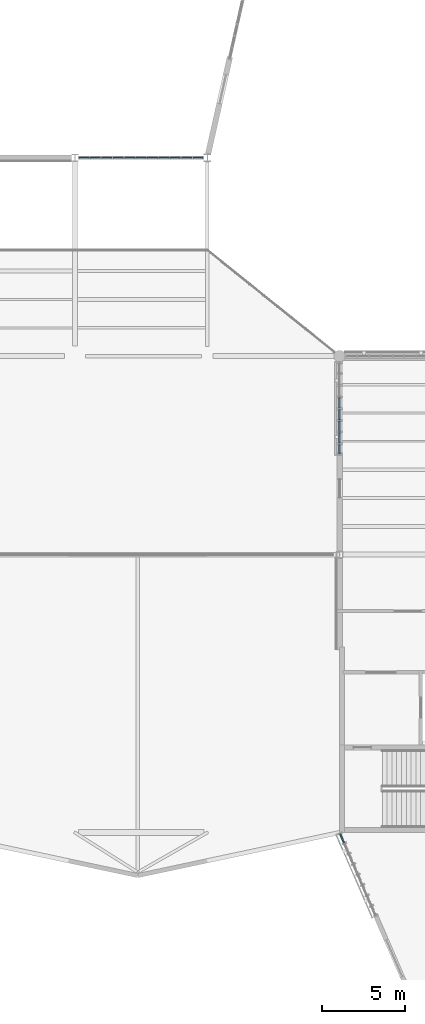
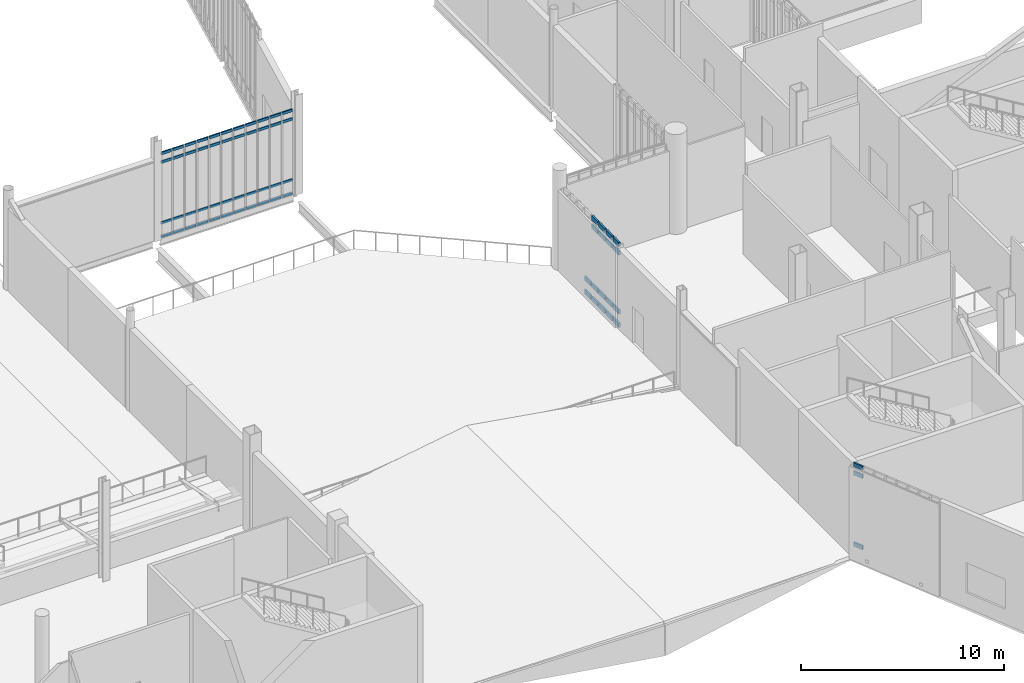
# One storey, part 50 of 135: 65 members, 3 elements without a shape of their own.
"""IFC4 building model written with IfcOpenShell, lengths in metres."""

import ifcopenshell
import ifcopenshell.guid

model = None  # the IFC model being written
_history = None  # IfcOwnerHistory: only IFC2X3 demands one
_inside = {}  # id of a spatial element -> (the spatial element, [elements in it])
_under = {}  # id of a project, library or spatial element -> (it, [spatial elements below it])
_declared = {}  # id of a project -> (the project, [libraries it declares])
_typed = {}  # id of a type object -> (the type object, [elements of that type])
_made_of = {}  # id of a material, layer set ... -> (it, [elements and type objects made of it])


def new_model(schema):
    """Start an empty IFC model of exactly this schema.

    Asked for "IFC4X3", IfcOpenShell would pick the latest addendum, in which some entities
    have other attributes; the version numbers below select the first issue.
    IFC2X3 requires an IfcOwnerHistory on every rooted entity: one is made here for all.
    """
    global model, _history
    if schema == "IFC4X3":
        model = ifcopenshell.file(schema_version=(4, 3, 0, 0))
    else:
        model = ifcopenshell.file(schema=schema)
    _inside.clear()
    _under.clear()
    _declared.clear()
    _typed.clear()
    _made_of.clear()
    _history = None
    if model.schema == "IFC2X3":
        org = make("IfcOrganization", Name="unknown")
        user = make(
            "IfcPersonAndOrganization",
            ThePerson=make("IfcPerson", FamilyName="unknown"),
            TheOrganization=org,
        )
        app = make(
            "IfcApplication",
            ApplicationDeveloper=org,
            Version="unknown",
            ApplicationFullName="unknown",
            ApplicationIdentifier="unknown",
        )
        _history = make(
            "IfcOwnerHistory",
            OwningUser=user,
            OwningApplication=app,
            ChangeAction="ADDED",
            CreationDate=0,
        )
    return model


def make(cls, **values):
    """One entity of the class cls with the attributes given. An attribute that is None is left unset."""
    return model.create_entity(
        cls, **{name: value for name, value in values.items() if value is not None}
    )


def rooted(cls, **values):
    """An entity with a GlobalId (a new one), such as an element, a storey or a relation."""
    return make(cls, GlobalId=ifcopenshell.guid.new(), OwnerHistory=_history, **values)


def si_unit(unit_type, name, prefix=None):
    """IfcSIUnit, for example si_unit("LENGTHUNIT", "METRE", prefix="MILLI")."""
    return make("IfcSIUnit", UnitType=unit_type, Prefix=prefix, Name=name)


def assignment(units):
    """IfcUnitAssignment: the units of a project."""
    return None if units is None else make("IfcUnitAssignment", Units=units)


def point(xyz):
    """IfcCartesianPoint."""
    return None if xyz is None else make("IfcCartesianPoint", Coordinates=xyz)


def direction(xyz):
    """IfcDirection."""
    return None if xyz is None else make("IfcDirection", DirectionRatios=xyz)


def frame(location, z_axis=None, x_axis=None):
    """IfcAxis2Placement3D, a coordinate frame: its origin and axes. An axis left out is left unset."""
    return make(
        "IfcAxis2Placement3D",
        Location=point(location),
        Axis=direction(z_axis),
        RefDirection=direction(x_axis),
    )


def frame_2d(location, x_axis=None):
    """IfcAxis2Placement2D, a coordinate frame in the plane: its origin and x axis."""
    return make(
        "IfcAxis2Placement2D", Location=point(location), RefDirection=direction(x_axis)
    )


def origin():
    """The frame at (0, 0, 0) with its axes left unset."""
    return frame((0.0, 0.0, 0.0))


def origin_2d():
    """The frame at (0, 0) in the plane with its x axis left unset."""
    return frame_2d((0.0, 0.0))


def place(relative_to, where):
    """IfcLocalPlacement: puts the frame where relative to a parent placement (None: the world)."""
    return make(
        "IfcLocalPlacement", PlacementRelTo=relative_to, RelativePlacement=where
    )


def context(
    kind, dimensions, precision=None, world=None, true_north=None, identifier=None
):
    """IfcGeometricRepresentationContext, for example the 3D "Model" context."""
    return make(
        "IfcGeometricRepresentationContext",
        ContextIdentifier=identifier,
        ContextType=kind,
        CoordinateSpaceDimension=dimensions,
        Precision=precision,
        WorldCoordinateSystem=world,
        TrueNorth=true_north,
    )


def subcontext(parent, identifier, kind, view, scale=None):
    """IfcGeometricRepresentationSubContext, for example "Body" below "Model"."""
    return make(
        "IfcGeometricRepresentationSubContext",
        ContextIdentifier=identifier,
        ContextType=kind,
        ParentContext=parent,
        TargetScale=scale,
        TargetView=view,
    )


def project(units=None, contexts=None):
    """IfcProject with its units and contexts."""
    return rooted(
        "IfcProject",
        Name="project",
        RepresentationContexts=contexts,
        UnitsInContext=assignment(units),
    )


def spatial(cls, under=None, at=None, **own):
    """A site, building, storey or space (cls), placed at a placement, below another one or the project."""
    s = rooted(cls, ObjectPlacement=at, **own)
    if under is not None:
        _under.setdefault(under.id(), (under, []))[1].append(s)
    return s


def profile(cls, at=None, kind="AREA", **sizes):
    """A parametric profile (cls). Its sizes go by their IFC names, for example OverallWidth=200.0."""
    return make(cls, ProfileType=kind, Position=at, **sizes)


def rectangle(**sizes):
    """IfcRectangleProfileDef."""
    return profile("IfcRectangleProfileDef", **sizes)


def extrude(swept, where, along, depth):
    """IfcExtrudedAreaSolid: the profile swept, set in the frame where, extruded along a direction by depth."""
    return make(
        "IfcExtrudedAreaSolid",
        SweptArea=swept,
        Position=where,
        ExtrudedDirection=direction(along),
        Depth=depth,
    )


def shape(context_of_items, identifier, shape_type, items):
    """IfcShapeRepresentation: the items that make up one representation, for example the "Body"."""
    return make(
        "IfcShapeRepresentation",
        ContextOfItems=context_of_items,
        RepresentationIdentifier=identifier,
        RepresentationType=shape_type,
        Items=items,
    )


def material(Name=None, Category=None):
    """IfcMaterial."""
    return make("IfcMaterial", Name=Name, Category=Category)


def material_profile(
    of_material, cross_section, Name=None, Category=None, Priority=None
):
    """IfcMaterialProfile: a cross section and its material."""
    return make(
        "IfcMaterialProfile",
        Name=Name,
        Material=of_material,
        Profile=cross_section,
        Priority=Priority,
        Category=Category,
    )


def profile_set(profiles, Name=None, composite=None):
    """IfcMaterialProfileSet."""
    return make(
        "IfcMaterialProfileSet",
        Name=Name,
        MaterialProfiles=profiles,
        CompositeProfile=composite,
    )


def made_of(thing, what):
    """Note that an element or type object is made of a material, layer set ...; save() writes the relation."""
    if what is not None:
        _made_of.setdefault(what.id(), (what, []))[1].append(thing)
    return thing


def type_object(cls, material=None, **own):
    """A type object (cls), such as IfcWallType, which elements share."""
    return made_of(rooted(cls, **own), material)


def element(
    cls,
    number,
    at=None,
    inside=None,
    cuts=None,
    type_object=None,
    material=None,
    context=None,
    identifier="Body",
    shape_type=None,
    held_by="IfcProductDefinitionShape",
    body=None,
    shapes=None,
    **own,
):
    """One element of the class cls, such as IfcWall. Its Tag is "e" and its number.

    at: its placement. inside: the storey or other place that contains it. cuts: it is an
    opening in that element (IfcRelVoidsElement). A single representation is given by context,
    identifier, shape_type and body (its items); several are given by shapes. held_by: the class
    of the entity that holds the representations. save() writes the other relations.
    """
    e = rooted(cls, Tag="e%d" % number, ObjectPlacement=at, **own)
    if body is not None:
        shapes = [shape(context, identifier, shape_type, body)]
    if shapes is not None:
        e.Representation = make(held_by, Representations=shapes)
    if inside is not None:
        _inside.setdefault(inside.id(), (inside, []))[1].append(e)
    if cuts is not None:
        rooted(
            "IfcRelVoidsElement", RelatingBuildingElement=cuts, RelatedOpeningElement=e
        )
    if type_object is not None:
        _typed.setdefault(type_object.id(), (type_object, []))[1].append(e)
    return made_of(e, material)


def aggregate(whole, parts):
    """IfcRelAggregates: a whole, such as a stair, and the parts it consists of."""
    return rooted("IfcRelAggregates", RelatingObject=whole, RelatedObjects=parts)


def save(model, path):
    """Write the relations noted so far, then the file.

    IfcRelAggregates (storeys below a building ...), IfcRelContainedInSpatialStructure (elements
    in a storey), IfcRelDefinesByType, IfcRelAssociatesMaterial and IfcRelDeclares: one each for
    every whole, place, type object, material and project.
    """
    for whole, parts in _under.values():
        aggregate(whole, parts)
    for where, things in _inside.values():
        rooted(
            "IfcRelContainedInSpatialStructure",
            RelatedElements=things,
            RelatingStructure=where,
        )
    for kind, things in _typed.values():
        rooted("IfcRelDefinesByType", RelatedObjects=things, RelatingType=kind)
    for what, things in _made_of.values():
        rooted("IfcRelAssociatesMaterial", RelatedObjects=things, RelatingMaterial=what)
    for by, libraries in _declared.values():
        rooted("IfcRelDeclares", RelatingContext=by, RelatedDefinitions=libraries)
    model.write(path)


model = new_model("IFC4")

# Units and contexts
model_context = context("Model", 3, precision=1e-05, world=origin(), true_north=direction((0.0, 1.0)))
body_context = subcontext(model_context, "Body", "Model", "MODEL_VIEW")
ifc_project = project(units=[si_unit("LENGTHUNIT", "METRE"), si_unit("AREAUNIT", "SQUARE_METRE"), si_unit("VOLUMEUNIT", "CUBIC_METRE"), si_unit("PLANEANGLEUNIT", "RADIAN"), si_unit("MASSUNIT", "GRAM", prefix="KILO")], contexts=[model_context])

# Site, building, storey
site_placement = place(None, origin())
site = spatial("IfcSite", under=ifc_project, at=site_placement, CompositionType="ELEMENT")
building_placement = place(site_placement, origin())
building = spatial("IfcBuilding", under=site, at=building_placement, Name="Larkvane Passage Sports Hall", CompositionType="ELEMENT")
storey_placement = place(building_placement, frame((0.0, 0.0, 10.800048828125)))
storey = spatial("IfcBuildingStorey", under=building, at=storey_placement, Name="L02", CompositionType="ELEMENT", Elevation=10.800048828125)

# Curtain wall, members
ifc_material_1 = material(Name="Thermally broken aluminium and low-E glazing", Category="aluminium")
curtain_wall_type_1 = type_object("IfcCurtainWallType", Name="CW-CLINIC", PredefinedType="USERDEFINED", material=ifc_material_1)
curtain_wall_1_placement = place(storey_placement, origin())
curtain_wall_1 = element("IfcCurtainWall", 1, at=curtain_wall_1_placement, inside=storey, type_object=curtain_wall_type_1, Name="Curtain wall CW5-L02-075", ObjectType="UNITISED CURTAIN WALL", PredefinedType="USERDEFINED")
ifc_material_2 = material(Name="Anodised aluminium 6063-T6", Category="aluminium")
ifc_material_profile_1 = material_profile(ifc_material_2, rectangle(XDim=0.10009765625, YDim=0.260009765625, at=origin_2d()), Name="ALU-TRN-100x260")
ifc_profile_set_1 = profile_set([ifc_material_profile_1], Name="Anodised aluminium 6063-T6")
member_type_1 = type_object("IfcMemberType", Name="CW-TRN-100x260", PredefinedType="USERDEFINED", material=ifc_profile_set_1)
member_1_placement = place(storey_placement, frame((118.0, 45.699951171875, 0.050048828125), z_axis=(0.0, 1.0, 0.0), x_axis=(-1.0, 0.0, 0.0)))
member_1 = element("IfcMember", 2, at=member_1_placement, type_object=member_type_1, Name="CW-05 transom 1.1", ObjectType="TRANSOM", PredefinedType="USERDEFINED", context=body_context, shape_type="SweptSolid", body=[
    extrude(rectangle(XDim=0.10009765625, YDim=0.260009765625, at=origin_2d()), origin(), (0.0, 0.0, 1.0), 0.556884765625),
])
member_2_placement = place(storey_placement, frame((118.0, 45.699951171875, 0.849853515625), z_axis=(0.0, 1.0, 0.0), x_axis=(-1.0, 0.0, 0.0)))
member_2 = element("IfcMember", 3, at=member_2_placement, type_object=member_type_1, Name="CW-05 transom 1.2", ObjectType="TRANSOM", PredefinedType="USERDEFINED", context=body_context, shape_type="SweptSolid", body=[
    extrude(rectangle(XDim=0.10009765625, YDim=0.260009765625, at=origin_2d()), origin(), (0.0, 0.0, 1.0), 0.556884765625),
])
member_3_placement = place(storey_placement, frame((118.0, 45.699951171875, 4.39794921875), z_axis=(0.0, 1.0, 0.0), x_axis=(-1.0, 0.0, 0.0)))
member_3 = element("IfcMember", 4, at=member_3_placement, type_object=member_type_1, Name="CW-05 transom 1.3", ObjectType="TRANSOM", PredefinedType="USERDEFINED", context=body_context, shape_type="SweptSolid", body=[
    extrude(rectangle(XDim=0.10009765625, YDim=0.260009765625, at=origin_2d()), origin(), (0.0, 0.0, 1.0), 0.556884765625),
])
member_4_placement = place(storey_placement, frame((118.0, 45.699951171875, 4.89794921875), z_axis=(0.0, 1.0, 0.0), x_axis=(-1.0, 0.0, 0.0)))
member_4 = element("IfcMember", 5, at=member_4_placement, type_object=member_type_1, Name="CW-05 transom 1.4", ObjectType="TRANSOM", PredefinedType="USERDEFINED", context=body_context, shape_type="SweptSolid", body=[
    extrude(rectangle(XDim=0.10009765625, YDim=0.260009765625, at=origin_2d()), origin(), (0.0, 0.0, 1.0), 0.556884765625),
])
member_5_placement = place(storey_placement, frame((118.0, 46.356689453125, 0.050048828125), z_axis=(0.0, 1.0, 0.0), x_axis=(-1.0, 0.0, 0.0)))
member_5 = element("IfcMember", 6, at=member_5_placement, type_object=member_type_1, Name="CW-05 transom 2.1", ObjectType="TRANSOM", PredefinedType="USERDEFINED", context=body_context, shape_type="SweptSolid", body=[
    extrude(rectangle(XDim=0.10009765625, YDim=0.260009765625, at=origin_2d()), origin(), (0.0, 0.0, 1.0), 0.606689453125),
])
member_6_placement = place(storey_placement, frame((118.0, 46.356689453125, 0.849853515625), z_axis=(0.0, 1.0, 0.0), x_axis=(-1.0, 0.0, 0.0)))
member_6 = element("IfcMember", 7, at=member_6_placement, type_object=member_type_1, Name="CW-05 transom 2.2", ObjectType="TRANSOM", PredefinedType="USERDEFINED", context=body_context, shape_type="SweptSolid", body=[
    extrude(rectangle(XDim=0.10009765625, YDim=0.260009765625, at=origin_2d()), origin(), (0.0, 0.0, 1.0), 0.606689453125),
])
member_7_placement = place(storey_placement, frame((118.0, 46.356689453125, 4.39794921875), z_axis=(0.0, 1.0, 0.0), x_axis=(-1.0, 0.0, 0.0)))
member_7 = element("IfcMember", 8, at=member_7_placement, type_object=member_type_1, Name="CW-05 transom 2.3", ObjectType="TRANSOM", PredefinedType="USERDEFINED", context=body_context, shape_type="SweptSolid", body=[
    extrude(rectangle(XDim=0.10009765625, YDim=0.260009765625, at=origin_2d()), origin(), (0.0, 0.0, 1.0), 0.606689453125),
])
member_8_placement = place(storey_placement, frame((118.0, 46.356689453125, 4.89794921875), z_axis=(0.0, 1.0, 0.0), x_axis=(-1.0, 0.0, 0.0)))
member_8 = element("IfcMember", 9, at=member_8_placement, type_object=member_type_1, Name="CW-05 transom 2.4", ObjectType="TRANSOM", PredefinedType="USERDEFINED", context=body_context, shape_type="SweptSolid", body=[
    extrude(rectangle(XDim=0.10009765625, YDim=0.260009765625, at=origin_2d()), origin(), (0.0, 0.0, 1.0), 0.606689453125),
])
member_9_placement = place(storey_placement, frame((118.0, 47.0634765625, 0.050048828125), z_axis=(0.0, 1.0, 0.0), x_axis=(-1.0, 0.0, 0.0)))
member_9 = element("IfcMember", 10, at=member_9_placement, type_object=member_type_1, Name="CW-05 transom 3.1", ObjectType="TRANSOM", PredefinedType="USERDEFINED", context=body_context, shape_type="SweptSolid", body=[
    extrude(rectangle(XDim=0.10009765625, YDim=0.260009765625, at=origin_2d()), origin(), (0.0, 0.0, 1.0), 0.606689453125),
])
member_10_placement = place(storey_placement, frame((118.0, 47.0634765625, 0.849853515625), z_axis=(0.0, 1.0, 0.0), x_axis=(-1.0, 0.0, 0.0)))
member_10 = element("IfcMember", 11, at=member_10_placement, type_object=member_type_1, Name="CW-05 transom 3.2", ObjectType="TRANSOM", PredefinedType="USERDEFINED", context=body_context, shape_type="SweptSolid", body=[
    extrude(rectangle(XDim=0.10009765625, YDim=0.260009765625, at=origin_2d()), origin(), (0.0, 0.0, 1.0), 0.606689453125),
])
member_11_placement = place(storey_placement, frame((118.0, 47.0634765625, 4.39794921875), z_axis=(0.0, 1.0, 0.0), x_axis=(-1.0, 0.0, 0.0)))
member_11 = element("IfcMember", 12, at=member_11_placement, type_object=member_type_1, Name="CW-05 transom 3.3", ObjectType="TRANSOM", PredefinedType="USERDEFINED", context=body_context, shape_type="SweptSolid", body=[
    extrude(rectangle(XDim=0.10009765625, YDim=0.260009765625, at=origin_2d()), origin(), (0.0, 0.0, 1.0), 0.606689453125),
])
member_12_placement = place(storey_placement, frame((118.0, 47.0634765625, 4.89794921875), z_axis=(0.0, 1.0, 0.0), x_axis=(-1.0, 0.0, 0.0)))
member_12 = element("IfcMember", 13, at=member_12_placement, type_object=member_type_1, Name="CW-05 transom 3.4", ObjectType="TRANSOM", PredefinedType="USERDEFINED", context=body_context, shape_type="SweptSolid", body=[
    extrude(rectangle(XDim=0.10009765625, YDim=0.260009765625, at=origin_2d()), origin(), (0.0, 0.0, 1.0), 0.606689453125),
])
member_13_placement = place(storey_placement, frame((118.0, 47.770263671875, 0.050048828125), z_axis=(0.0, 1.0, 0.0), x_axis=(-1.0, 0.0, 0.0)))
member_13 = element("IfcMember", 14, at=member_13_placement, type_object=member_type_1, Name="CW-05 transom 4.1", ObjectType="TRANSOM", PredefinedType="USERDEFINED", context=body_context, shape_type="SweptSolid", body=[
    extrude(rectangle(XDim=0.10009765625, YDim=0.260009765625, at=origin_2d()), origin(), (0.0, 0.0, 1.0), 0.606689453125),
])
member_14_placement = place(storey_placement, frame((118.0, 47.770263671875, 0.849853515625), z_axis=(0.0, 1.0, 0.0), x_axis=(-1.0, 0.0, 0.0)))
member_14 = element("IfcMember", 15, at=member_14_placement, type_object=member_type_1, Name="CW-05 transom 4.2", ObjectType="TRANSOM", PredefinedType="USERDEFINED", context=body_context, shape_type="SweptSolid", body=[
    extrude(rectangle(XDim=0.10009765625, YDim=0.260009765625, at=origin_2d()), origin(), (0.0, 0.0, 1.0), 0.606689453125),
])
member_15_placement = place(storey_placement, frame((118.0, 47.770263671875, 4.39794921875), z_axis=(0.0, 1.0, 0.0), x_axis=(-1.0, 0.0, 0.0)))
member_15 = element("IfcMember", 16, at=member_15_placement, type_object=member_type_1, Name="CW-05 transom 4.3", ObjectType="TRANSOM", PredefinedType="USERDEFINED", context=body_context, shape_type="SweptSolid", body=[
    extrude(rectangle(XDim=0.10009765625, YDim=0.260009765625, at=origin_2d()), origin(), (0.0, 0.0, 1.0), 0.606689453125),
])
member_16_placement = place(storey_placement, frame((118.0, 47.770263671875, 4.89794921875), z_axis=(0.0, 1.0, 0.0), x_axis=(-1.0, 0.0, 0.0)))
member_16 = element("IfcMember", 17, at=member_16_placement, type_object=member_type_1, Name="CW-05 transom 4.4", ObjectType="TRANSOM", PredefinedType="USERDEFINED", context=body_context, shape_type="SweptSolid", body=[
    extrude(rectangle(XDim=0.10009765625, YDim=0.260009765625, at=origin_2d()), origin(), (0.0, 0.0, 1.0), 0.606689453125),
])
member_17_placement = place(storey_placement, frame((118.0, 48.47705078125, 0.050048828125), z_axis=(0.0, 1.0, 0.0), x_axis=(-1.0, 0.0, 0.0)))
member_17 = element("IfcMember", 18, at=member_17_placement, type_object=member_type_1, Name="CW-05 transom 5.1", ObjectType="TRANSOM", PredefinedType="USERDEFINED", context=body_context, shape_type="SweptSolid", body=[
    extrude(rectangle(XDim=0.10009765625, YDim=0.260009765625, at=origin_2d()), origin(), (0.0, 0.0, 1.0), 0.606689453125),
])
member_18_placement = place(storey_placement, frame((118.0, 48.47705078125, 0.849853515625), z_axis=(0.0, 1.0, 0.0), x_axis=(-1.0, 0.0, 0.0)))
member_18 = element("IfcMember", 19, at=member_18_placement, type_object=member_type_1, Name="CW-05 transom 5.2", ObjectType="TRANSOM", PredefinedType="USERDEFINED", context=body_context, shape_type="SweptSolid", body=[
    extrude(rectangle(XDim=0.10009765625, YDim=0.260009765625, at=origin_2d()), origin(), (0.0, 0.0, 1.0), 0.606689453125),
])
aggregate(curtain_wall_1, [member_1, member_2, member_3, member_4, member_5, member_6, member_7, member_8, member_9, member_10, member_11, member_12, member_13, member_14, member_15, member_16, member_17, member_18])

curtain_wall_type_2 = type_object("IfcCurtainWallType", Name="CW-UNIT-VEIL", PredefinedType="USERDEFINED", material=ifc_material_1)
curtain_wall_2_placement = place(storey_placement, origin())
curtain_wall_2 = element("IfcCurtainWall", 20, at=curtain_wall_2_placement, inside=storey, type_object=curtain_wall_type_2, Name="Curtain wall CW5-L02-085", ObjectType="UNITISED CURTAIN WALL", PredefinedType="USERDEFINED")
ifc_material_profile_2 = material_profile(ifc_material_2, rectangle(XDim=0.070068359375, YDim=0.159912109375, at=origin_2d()), Name="ALU-TRN-70x160")
ifc_profile_set_2 = profile_set([ifc_material_profile_2], Name="Anodised aluminium 6063-T6")
member_type_2 = type_object("IfcMemberType", Name="CW-TRN-70x160", PredefinedType="USERDEFINED", material=ifc_profile_set_2)
member_19_placement = place(storey_placement, frame((109.7255859375, 63.60009765625, 0.034912109375), z_axis=(-1.0, 0.0, 0.0), x_axis=(0.0, -1.0, 0.0)))
member_19 = element("IfcMember", 21, at=member_19_placement, type_object=member_type_2, Name="CW-02 transom 1.1", ObjectType="TRANSOM", PredefinedType="USERDEFINED", context=body_context, shape_type="SweptSolid", body=[
    extrude(rectangle(XDim=0.070068359375, YDim=0.159912109375, at=origin_2d()), origin(), (0.0, 0.0, 1.0), 0.585693359375),
])
member_20_placement = place(storey_placement, frame((109.7255859375, 63.60009765625, 0.849853515625), z_axis=(-1.0, 0.0, 0.0), x_axis=(0.0, -1.0, 0.0)))
member_20 = element("IfcMember", 22, at=member_20_placement, type_object=member_type_2, Name="CW-02 transom 1.2", ObjectType="TRANSOM", PredefinedType="USERDEFINED", context=body_context, shape_type="SweptSolid", body=[
    extrude(rectangle(XDim=0.070068359375, YDim=0.159912109375, at=origin_2d()), origin(), (0.0, 0.0, 1.0), 0.585693359375),
])
member_21_placement = place(storey_placement, frame((109.7255859375, 63.60009765625, 4.510009765625), z_axis=(-1.0, 0.0, 0.0), x_axis=(0.0, -1.0, 0.0)))
member_21 = element("IfcMember", 23, at=member_21_placement, type_object=member_type_2, Name="CW-02 transom 1.3", ObjectType="TRANSOM", PredefinedType="USERDEFINED", context=body_context, shape_type="SweptSolid", body=[
    extrude(rectangle(XDim=0.070068359375, YDim=0.159912109375, at=origin_2d()), origin(), (0.0, 0.0, 1.0), 0.585693359375),
])
member_22_placement = place(storey_placement, frame((109.7255859375, 63.60009765625, 5.02490234375), z_axis=(-1.0, 0.0, 0.0), x_axis=(0.0, -1.0, 0.0)))
member_22 = element("IfcMember", 24, at=member_22_placement, type_object=member_type_2, Name="CW-02 transom 1.4", ObjectType="TRANSOM", PredefinedType="USERDEFINED", context=body_context, shape_type="SweptSolid", body=[
    extrude(rectangle(XDim=0.070068359375, YDim=0.159912109375, at=origin_2d()), origin(), (0.0, 0.0, 1.0), 0.585693359375),
])
member_23_placement = place(storey_placement, frame((109.06982421875, 63.60009765625, 0.034912109375), z_axis=(-1.0, 0.0, 0.0), x_axis=(0.0, -1.0, 0.0)))
member_23 = element("IfcMember", 25, at=member_23_placement, type_object=member_type_2, Name="CW-02 transom 2.1", ObjectType="TRANSOM", PredefinedType="USERDEFINED", context=body_context, shape_type="SweptSolid", body=[
    extrude(rectangle(XDim=0.070068359375, YDim=0.159912109375, at=origin_2d()), origin(), (0.0, 0.0, 1.0), 0.62060546875),
])
member_24_placement = place(storey_placement, frame((109.06982421875, 63.60009765625, 0.849853515625), z_axis=(-1.0, 0.0, 0.0), x_axis=(0.0, -1.0, 0.0)))
member_24 = element("IfcMember", 26, at=member_24_placement, type_object=member_type_2, Name="CW-02 transom 2.2", ObjectType="TRANSOM", PredefinedType="USERDEFINED", context=body_context, shape_type="SweptSolid", body=[
    extrude(rectangle(XDim=0.070068359375, YDim=0.159912109375, at=origin_2d()), origin(), (0.0, 0.0, 1.0), 0.62060546875),
])
member_25_placement = place(storey_placement, frame((109.06982421875, 63.60009765625, 4.510009765625), z_axis=(-1.0, 0.0, 0.0), x_axis=(0.0, -1.0, 0.0)))
member_25 = element("IfcMember", 27, at=member_25_placement, type_object=member_type_2, Name="CW-02 transom 2.3", ObjectType="TRANSOM", PredefinedType="USERDEFINED", context=body_context, shape_type="SweptSolid", body=[
    extrude(rectangle(XDim=0.070068359375, YDim=0.159912109375, at=origin_2d()), origin(), (0.0, 0.0, 1.0), 0.62060546875),
])
member_26_placement = place(storey_placement, frame((109.06982421875, 63.60009765625, 5.02490234375), z_axis=(-1.0, 0.0, 0.0), x_axis=(0.0, -1.0, 0.0)))
member_26 = element("IfcMember", 28, at=member_26_placement, type_object=member_type_2, Name="CW-02 transom 2.4", ObjectType="TRANSOM", PredefinedType="USERDEFINED", context=body_context, shape_type="SweptSolid", body=[
    extrude(rectangle(XDim=0.070068359375, YDim=0.159912109375, at=origin_2d()), origin(), (0.0, 0.0, 1.0), 0.62060546875),
])
member_27_placement = place(storey_placement, frame((108.379150390625, 63.60009765625, 0.034912109375), z_axis=(-1.0, 0.0, 0.0), x_axis=(0.0, -1.0, 0.0)))
member_27 = element("IfcMember", 29, at=member_27_placement, type_object=member_type_2, Name="CW-02 transom 3.1", ObjectType="TRANSOM", PredefinedType="USERDEFINED", context=body_context, shape_type="SweptSolid", body=[
    extrude(rectangle(XDim=0.070068359375, YDim=0.159912109375, at=origin_2d()), origin(), (0.0, 0.0, 1.0), 0.62060546875),
])
member_28_placement = place(storey_placement, frame((108.379150390625, 63.60009765625, 0.849853515625), z_axis=(-1.0, 0.0, 0.0), x_axis=(0.0, -1.0, 0.0)))
member_28 = element("IfcMember", 30, at=member_28_placement, type_object=member_type_2, Name="CW-02 transom 3.2", ObjectType="TRANSOM", PredefinedType="USERDEFINED", context=body_context, shape_type="SweptSolid", body=[
    extrude(rectangle(XDim=0.070068359375, YDim=0.159912109375, at=origin_2d()), origin(), (0.0, 0.0, 1.0), 0.62060546875),
])
member_29_placement = place(storey_placement, frame((108.379150390625, 63.60009765625, 4.510009765625), z_axis=(-1.0, 0.0, 0.0), x_axis=(0.0, -1.0, 0.0)))
member_29 = element("IfcMember", 31, at=member_29_placement, type_object=member_type_2, Name="CW-02 transom 3.3", ObjectType="TRANSOM", PredefinedType="USERDEFINED", context=body_context, shape_type="SweptSolid", body=[
    extrude(rectangle(XDim=0.070068359375, YDim=0.159912109375, at=origin_2d()), origin(), (0.0, 0.0, 1.0), 0.62060546875),
])
member_30_placement = place(storey_placement, frame((108.379150390625, 63.60009765625, 5.02490234375), z_axis=(-1.0, 0.0, 0.0), x_axis=(0.0, -1.0, 0.0)))
member_30 = element("IfcMember", 32, at=member_30_placement, type_object=member_type_2, Name="CW-02 transom 3.4", ObjectType="TRANSOM", PredefinedType="USERDEFINED", context=body_context, shape_type="SweptSolid", body=[
    extrude(rectangle(XDim=0.070068359375, YDim=0.159912109375, at=origin_2d()), origin(), (0.0, 0.0, 1.0), 0.62060546875),
])
member_31_placement = place(storey_placement, frame((107.6884765625, 63.60009765625, 0.034912109375), z_axis=(-1.0, 0.0, 0.0), x_axis=(0.0, -1.0, 0.0)))
member_31 = element("IfcMember", 33, at=member_31_placement, type_object=member_type_2, Name="CW-02 transom 4.1", ObjectType="TRANSOM", PredefinedType="USERDEFINED", context=body_context, shape_type="SweptSolid", body=[
    extrude(rectangle(XDim=0.070068359375, YDim=0.159912109375, at=origin_2d()), origin(), (0.0, 0.0, 1.0), 0.62060546875),
])
member_32_placement = place(storey_placement, frame((107.6884765625, 63.60009765625, 0.849853515625), z_axis=(-1.0, 0.0, 0.0), x_axis=(0.0, -1.0, 0.0)))
member_32 = element("IfcMember", 34, at=member_32_placement, type_object=member_type_2, Name="CW-02 transom 4.2", ObjectType="TRANSOM", PredefinedType="USERDEFINED", context=body_context, shape_type="SweptSolid", body=[
    extrude(rectangle(XDim=0.070068359375, YDim=0.159912109375, at=origin_2d()), origin(), (0.0, 0.0, 1.0), 0.62060546875),
])
member_33_placement = place(storey_placement, frame((107.6884765625, 63.60009765625, 4.510009765625), z_axis=(-1.0, 0.0, 0.0), x_axis=(0.0, -1.0, 0.0)))
member_33 = element("IfcMember", 35, at=member_33_placement, type_object=member_type_2, Name="CW-02 transom 4.3", ObjectType="TRANSOM", PredefinedType="USERDEFINED", context=body_context, shape_type="SweptSolid", body=[
    extrude(rectangle(XDim=0.070068359375, YDim=0.159912109375, at=origin_2d()), origin(), (0.0, 0.0, 1.0), 0.62060546875),
])
member_34_placement = place(storey_placement, frame((107.6884765625, 63.60009765625, 5.02490234375), z_axis=(-1.0, 0.0, 0.0), x_axis=(0.0, -1.0, 0.0)))
member_34 = element("IfcMember", 36, at=member_34_placement, type_object=member_type_2, Name="CW-02 transom 4.4", ObjectType="TRANSOM", PredefinedType="USERDEFINED", context=body_context, shape_type="SweptSolid", body=[
    extrude(rectangle(XDim=0.070068359375, YDim=0.159912109375, at=origin_2d()), origin(), (0.0, 0.0, 1.0), 0.62060546875),
])
member_35_placement = place(storey_placement, frame((106.998046875, 63.60009765625, 0.034912109375), z_axis=(-1.0, 0.0, 0.0), x_axis=(0.0, -1.0, 0.0)))
member_35 = element("IfcMember", 37, at=member_35_placement, type_object=member_type_2, Name="CW-02 transom 5.1", ObjectType="TRANSOM", PredefinedType="USERDEFINED", context=body_context, shape_type="SweptSolid", body=[
    extrude(rectangle(XDim=0.070068359375, YDim=0.159912109375, at=origin_2d()), origin(), (0.0, 0.0, 1.0), 0.620849609375),
])
member_36_placement = place(storey_placement, frame((106.998046875, 63.60009765625, 0.849853515625), z_axis=(-1.0, 0.0, 0.0), x_axis=(0.0, -1.0, 0.0)))
member_36 = element("IfcMember", 38, at=member_36_placement, type_object=member_type_2, Name="CW-02 transom 5.2", ObjectType="TRANSOM", PredefinedType="USERDEFINED", context=body_context, shape_type="SweptSolid", body=[
    extrude(rectangle(XDim=0.070068359375, YDim=0.159912109375, at=origin_2d()), origin(), (0.0, 0.0, 1.0), 0.620849609375),
])
member_37_placement = place(storey_placement, frame((106.998046875, 63.60009765625, 4.510009765625), z_axis=(-1.0, 0.0, 0.0), x_axis=(0.0, -1.0, 0.0)))
member_37 = element("IfcMember", 39, at=member_37_placement, type_object=member_type_2, Name="CW-02 transom 5.3", ObjectType="TRANSOM", PredefinedType="USERDEFINED", context=body_context, shape_type="SweptSolid", body=[
    extrude(rectangle(XDim=0.070068359375, YDim=0.159912109375, at=origin_2d()), origin(), (0.0, 0.0, 1.0), 0.620849609375),
])
member_38_placement = place(storey_placement, frame((106.998046875, 63.60009765625, 5.02490234375), z_axis=(-1.0, 0.0, 0.0), x_axis=(0.0, -1.0, 0.0)))
member_38 = element("IfcMember", 40, at=member_38_placement, type_object=member_type_2, Name="CW-02 transom 5.4", ObjectType="TRANSOM", PredefinedType="USERDEFINED", context=body_context, shape_type="SweptSolid", body=[
    extrude(rectangle(XDim=0.070068359375, YDim=0.159912109375, at=origin_2d()), origin(), (0.0, 0.0, 1.0), 0.620849609375),
])
member_39_placement = place(storey_placement, frame((106.307373046875, 63.60009765625, 0.034912109375), z_axis=(-1.0, 0.0, 0.0), x_axis=(0.0, -1.0, 0.0)))
member_39 = element("IfcMember", 41, at=member_39_placement, type_object=member_type_2, Name="CW-02 transom 6.1", ObjectType="TRANSOM", PredefinedType="USERDEFINED", context=body_context, shape_type="SweptSolid", body=[
    extrude(rectangle(XDim=0.070068359375, YDim=0.159912109375, at=origin_2d()), origin(), (0.0, 0.0, 1.0), 0.62060546875),
])
member_40_placement = place(storey_placement, frame((106.307373046875, 63.60009765625, 0.849853515625), z_axis=(-1.0, 0.0, 0.0), x_axis=(0.0, -1.0, 0.0)))
member_40 = element("IfcMember", 42, at=member_40_placement, type_object=member_type_2, Name="CW-02 transom 6.2", ObjectType="TRANSOM", PredefinedType="USERDEFINED", context=body_context, shape_type="SweptSolid", body=[
    extrude(rectangle(XDim=0.070068359375, YDim=0.159912109375, at=origin_2d()), origin(), (0.0, 0.0, 1.0), 0.62060546875),
])
member_41_placement = place(storey_placement, frame((106.307373046875, 63.60009765625, 4.510009765625), z_axis=(-1.0, 0.0, 0.0), x_axis=(0.0, -1.0, 0.0)))
member_41 = element("IfcMember", 43, at=member_41_placement, type_object=member_type_2, Name="CW-02 transom 6.3", ObjectType="TRANSOM", PredefinedType="USERDEFINED", context=body_context, shape_type="SweptSolid", body=[
    extrude(rectangle(XDim=0.070068359375, YDim=0.159912109375, at=origin_2d()), origin(), (0.0, 0.0, 1.0), 0.62060546875),
])
member_42_placement = place(storey_placement, frame((106.307373046875, 63.60009765625, 5.02490234375), z_axis=(-1.0, 0.0, 0.0), x_axis=(0.0, -1.0, 0.0)))
member_42 = element("IfcMember", 44, at=member_42_placement, type_object=member_type_2, Name="CW-02 transom 6.4", ObjectType="TRANSOM", PredefinedType="USERDEFINED", context=body_context, shape_type="SweptSolid", body=[
    extrude(rectangle(XDim=0.070068359375, YDim=0.159912109375, at=origin_2d()), origin(), (0.0, 0.0, 1.0), 0.62060546875),
])
member_43_placement = place(storey_placement, frame((105.61669921875, 63.60009765625, 0.034912109375), z_axis=(-1.0, 0.0, 0.0), x_axis=(0.0, -1.0, 0.0)))
member_43 = element("IfcMember", 45, at=member_43_placement, type_object=member_type_2, Name="CW-02 transom 7.1", ObjectType="TRANSOM", PredefinedType="USERDEFINED", context=body_context, shape_type="SweptSolid", body=[
    extrude(rectangle(XDim=0.070068359375, YDim=0.159912109375, at=origin_2d()), origin(), (0.0, 0.0, 1.0), 0.62060546875),
])
member_44_placement = place(storey_placement, frame((105.61669921875, 63.60009765625, 0.849853515625), z_axis=(-1.0, 0.0, 0.0), x_axis=(0.0, -1.0, 0.0)))
member_44 = element("IfcMember", 46, at=member_44_placement, type_object=member_type_2, Name="CW-02 transom 7.2", ObjectType="TRANSOM", PredefinedType="USERDEFINED", context=body_context, shape_type="SweptSolid", body=[
    extrude(rectangle(XDim=0.070068359375, YDim=0.159912109375, at=origin_2d()), origin(), (0.0, 0.0, 1.0), 0.62060546875),
])
member_45_placement = place(storey_placement, frame((105.61669921875, 63.60009765625, 4.510009765625), z_axis=(-1.0, 0.0, 0.0), x_axis=(0.0, -1.0, 0.0)))
member_45 = element("IfcMember", 47, at=member_45_placement, type_object=member_type_2, Name="CW-02 transom 7.3", ObjectType="TRANSOM", PredefinedType="USERDEFINED", context=body_context, shape_type="SweptSolid", body=[
    extrude(rectangle(XDim=0.070068359375, YDim=0.159912109375, at=origin_2d()), origin(), (0.0, 0.0, 1.0), 0.62060546875),
])
member_46_placement = place(storey_placement, frame((105.61669921875, 63.60009765625, 5.02490234375), z_axis=(-1.0, 0.0, 0.0), x_axis=(0.0, -1.0, 0.0)))
member_46 = element("IfcMember", 48, at=member_46_placement, type_object=member_type_2, Name="CW-02 transom 7.4", ObjectType="TRANSOM", PredefinedType="USERDEFINED", context=body_context, shape_type="SweptSolid", body=[
    extrude(rectangle(XDim=0.070068359375, YDim=0.159912109375, at=origin_2d()), origin(), (0.0, 0.0, 1.0), 0.62060546875),
])
member_47_placement = place(storey_placement, frame((104.926025390625, 63.60009765625, 0.034912109375), z_axis=(-1.0, 0.0, 0.0), x_axis=(0.0, -1.0, 0.0)))
member_47 = element("IfcMember", 49, at=member_47_placement, type_object=member_type_2, Name="CW-02 transom 8.1", ObjectType="TRANSOM", PredefinedType="USERDEFINED", context=body_context, shape_type="SweptSolid", body=[
    extrude(rectangle(XDim=0.070068359375, YDim=0.159912109375, at=origin_2d()), origin(), (0.0, 0.0, 1.0), 0.62060546875),
])
member_48_placement = place(storey_placement, frame((104.926025390625, 63.60009765625, 0.849853515625), z_axis=(-1.0, 0.0, 0.0), x_axis=(0.0, -1.0, 0.0)))
member_48 = element("IfcMember", 50, at=member_48_placement, type_object=member_type_2, Name="CW-02 transom 8.2", ObjectType="TRANSOM", PredefinedType="USERDEFINED", context=body_context, shape_type="SweptSolid", body=[
    extrude(rectangle(XDim=0.070068359375, YDim=0.159912109375, at=origin_2d()), origin(), (0.0, 0.0, 1.0), 0.62060546875),
])
member_49_placement = place(storey_placement, frame((104.926025390625, 63.60009765625, 4.510009765625), z_axis=(-1.0, 0.0, 0.0), x_axis=(0.0, -1.0, 0.0)))
member_49 = element("IfcMember", 51, at=member_49_placement, type_object=member_type_2, Name="CW-02 transom 8.3", ObjectType="TRANSOM", PredefinedType="USERDEFINED", context=body_context, shape_type="SweptSolid", body=[
    extrude(rectangle(XDim=0.070068359375, YDim=0.159912109375, at=origin_2d()), origin(), (0.0, 0.0, 1.0), 0.62060546875),
])
member_50_placement = place(storey_placement, frame((104.926025390625, 63.60009765625, 5.02490234375), z_axis=(-1.0, 0.0, 0.0), x_axis=(0.0, -1.0, 0.0)))
member_50 = element("IfcMember", 52, at=member_50_placement, type_object=member_type_2, Name="CW-02 transom 8.4", ObjectType="TRANSOM", PredefinedType="USERDEFINED", context=body_context, shape_type="SweptSolid", body=[
    extrude(rectangle(XDim=0.070068359375, YDim=0.159912109375, at=origin_2d()), origin(), (0.0, 0.0, 1.0), 0.62060546875),
])
member_51_placement = place(storey_placement, frame((104.2353515625, 63.60009765625, 0.034912109375), z_axis=(-1.0, 0.0, 0.0), x_axis=(0.0, -1.0, 0.0)))
member_51 = element("IfcMember", 53, at=member_51_placement, type_object=member_type_2, Name="CW-02 transom 9.1", ObjectType="TRANSOM", PredefinedType="USERDEFINED", context=body_context, shape_type="SweptSolid", body=[
    extrude(rectangle(XDim=0.070068359375, YDim=0.159912109375, at=origin_2d()), origin(), (0.0, 0.0, 1.0), 0.62060546875),
])
member_52_placement = place(storey_placement, frame((104.2353515625, 63.60009765625, 0.849853515625), z_axis=(-1.0, 0.0, 0.0), x_axis=(0.0, -1.0, 0.0)))
member_52 = element("IfcMember", 54, at=member_52_placement, type_object=member_type_2, Name="CW-02 transom 9.2", ObjectType="TRANSOM", PredefinedType="USERDEFINED", context=body_context, shape_type="SweptSolid", body=[
    extrude(rectangle(XDim=0.070068359375, YDim=0.159912109375, at=origin_2d()), origin(), (0.0, 0.0, 1.0), 0.62060546875),
])
member_53_placement = place(storey_placement, frame((104.2353515625, 63.60009765625, 4.510009765625), z_axis=(-1.0, 0.0, 0.0), x_axis=(0.0, -1.0, 0.0)))
member_53 = element("IfcMember", 55, at=member_53_placement, type_object=member_type_2, Name="CW-02 transom 9.3", ObjectType="TRANSOM", PredefinedType="USERDEFINED", context=body_context, shape_type="SweptSolid", body=[
    extrude(rectangle(XDim=0.070068359375, YDim=0.159912109375, at=origin_2d()), origin(), (0.0, 0.0, 1.0), 0.62060546875),
])
member_54_placement = place(storey_placement, frame((104.2353515625, 63.60009765625, 5.02490234375), z_axis=(-1.0, 0.0, 0.0), x_axis=(0.0, -1.0, 0.0)))
member_54 = element("IfcMember", 56, at=member_54_placement, type_object=member_type_2, Name="CW-02 transom 9.4", ObjectType="TRANSOM", PredefinedType="USERDEFINED", context=body_context, shape_type="SweptSolid", body=[
    extrude(rectangle(XDim=0.070068359375, YDim=0.159912109375, at=origin_2d()), origin(), (0.0, 0.0, 1.0), 0.62060546875),
])
member_55_placement = place(storey_placement, frame((103.544677734375, 63.60009765625, 0.034912109375), z_axis=(-1.0, 0.0, 0.0), x_axis=(0.0, -1.0, 0.0)))
member_55 = element("IfcMember", 57, at=member_55_placement, type_object=member_type_2, Name="CW-02 transom 10.1", ObjectType="TRANSOM", PredefinedType="USERDEFINED", context=body_context, shape_type="SweptSolid", body=[
    extrude(rectangle(XDim=0.070068359375, YDim=0.159912109375, at=origin_2d()), origin(), (0.0, 0.0, 1.0), 0.62060546875),
])
member_56_placement = place(storey_placement, frame((103.544677734375, 63.60009765625, 0.849853515625), z_axis=(-1.0, 0.0, 0.0), x_axis=(0.0, -1.0, 0.0)))
member_56 = element("IfcMember", 58, at=member_56_placement, type_object=member_type_2, Name="CW-02 transom 10.2", ObjectType="TRANSOM", PredefinedType="USERDEFINED", context=body_context, shape_type="SweptSolid", body=[
    extrude(rectangle(XDim=0.070068359375, YDim=0.159912109375, at=origin_2d()), origin(), (0.0, 0.0, 1.0), 0.62060546875),
])
member_57_placement = place(storey_placement, frame((103.544677734375, 63.60009765625, 4.510009765625), z_axis=(-1.0, 0.0, 0.0), x_axis=(0.0, -1.0, 0.0)))
member_57 = element("IfcMember", 59, at=member_57_placement, type_object=member_type_2, Name="CW-02 transom 10.3", ObjectType="TRANSOM", PredefinedType="USERDEFINED", context=body_context, shape_type="SweptSolid", body=[
    extrude(rectangle(XDim=0.070068359375, YDim=0.159912109375, at=origin_2d()), origin(), (0.0, 0.0, 1.0), 0.62060546875),
])
member_58_placement = place(storey_placement, frame((103.544677734375, 63.60009765625, 5.02490234375), z_axis=(-1.0, 0.0, 0.0), x_axis=(0.0, -1.0, 0.0)))
member_58 = element("IfcMember", 60, at=member_58_placement, type_object=member_type_2, Name="CW-02 transom 10.4", ObjectType="TRANSOM", PredefinedType="USERDEFINED", context=body_context, shape_type="SweptSolid", body=[
    extrude(rectangle(XDim=0.070068359375, YDim=0.159912109375, at=origin_2d()), origin(), (0.0, 0.0, 1.0), 0.62060546875),
])
member_59_placement = place(storey_placement, frame((102.854248046875, 63.60009765625, 0.034912109375), z_axis=(-1.0, 0.0, 0.0), x_axis=(0.0, -1.0, 0.0)))
member_59 = element("IfcMember", 61, at=member_59_placement, type_object=member_type_2, Name="CW-02 transom 11.1", ObjectType="TRANSOM", PredefinedType="USERDEFINED", context=body_context, shape_type="SweptSolid", body=[
    extrude(rectangle(XDim=0.070068359375, YDim=0.159912109375, at=origin_2d()), origin(), (0.0, 0.0, 1.0), 0.585693359375),
])
member_60_placement = place(storey_placement, frame((102.854248046875, 63.60009765625, 0.849853515625), z_axis=(-1.0, 0.0, 0.0), x_axis=(0.0, -1.0, 0.0)))
member_60 = element("IfcMember", 62, at=member_60_placement, type_object=member_type_2, Name="CW-02 transom 11.2", ObjectType="TRANSOM", PredefinedType="USERDEFINED", context=body_context, shape_type="SweptSolid", body=[
    extrude(rectangle(XDim=0.070068359375, YDim=0.159912109375, at=origin_2d()), origin(), (0.0, 0.0, 1.0), 0.585693359375),
])
member_61_placement = place(storey_placement, frame((102.854248046875, 63.60009765625, 4.510009765625), z_axis=(-1.0, 0.0, 0.0), x_axis=(0.0, -1.0, 0.0)))
member_61 = element("IfcMember", 63, at=member_61_placement, type_object=member_type_2, Name="CW-02 transom 11.3", ObjectType="TRANSOM", PredefinedType="USERDEFINED", context=body_context, shape_type="SweptSolid", body=[
    extrude(rectangle(XDim=0.070068359375, YDim=0.159912109375, at=origin_2d()), origin(), (0.0, 0.0, 1.0), 0.585693359375),
])
member_62_placement = place(storey_placement, frame((102.854248046875, 63.60009765625, 5.02490234375), z_axis=(-1.0, 0.0, 0.0), x_axis=(0.0, -1.0, 0.0)))
member_62 = element("IfcMember", 64, at=member_62_placement, type_object=member_type_2, Name="CW-02 transom 11.4", ObjectType="TRANSOM", PredefinedType="USERDEFINED", context=body_context, shape_type="SweptSolid", body=[
    extrude(rectangle(XDim=0.070068359375, YDim=0.159912109375, at=origin_2d()), origin(), (0.0, 0.0, 1.0), 0.585693359375),
])
aggregate(curtain_wall_2, [member_19, member_20, member_21, member_22, member_23, member_24, member_25, member_26, member_27, member_28, member_29, member_30, member_31, member_32, member_33, member_34, member_35, member_36, member_37, member_38, member_39, member_40, member_41, member_42, member_43, member_44, member_45, member_46, member_47, member_48, member_49, member_50, member_51, member_52, member_53, member_54, member_55, member_56, member_57, member_58, member_59, member_60, member_61, member_62])

curtain_wall_type_3 = type_object("IfcCurtainWallType", Name="CW-STICK-FOYER", PredefinedType="USERDEFINED", material=ifc_material_1)
curtain_wall_3_placement = place(storey_placement, origin())
curtain_wall_3 = element("IfcCurtainWall", 65, at=curtain_wall_3_placement, inside=storey, type_object=curtain_wall_type_3, Name="Curtain wall CW5-L02-074", ObjectType="STICK CURTAIN WALL", PredefinedType="USERDEFINED")
ifc_material_profile_3 = material_profile(ifc_material_2, rectangle(XDim=0.090087890625, YDim=0.235107421875, at=origin_2d()), Name="ALU-TRN-90x235")
ifc_profile_set_3 = profile_set([ifc_material_profile_3], Name="Anodised aluminium 6063-T6")
member_type_3 = type_object("IfcMemberType", Name="CW-TRN-90x235", PredefinedType="USERDEFINED", material=ifc_profile_set_3)
member_63_placement = place(storey_placement, frame((118.2607421875, 22.19921875, 0.849853515625), z_axis=(-0.398274987075, 0.917266065365, 0.0), x_axis=(-0.917266065365, -0.398274987075, 0.0)))
member_63 = element("IfcMember", 66, at=member_63_placement, type_object=member_type_3, Name="CW-03 transom 8.2", ObjectType="TRANSOM", PredefinedType="USERDEFINED", context=body_context, shape_type="SweptSolid", body=[
    extrude(rectangle(XDim=0.090087890625, YDim=0.235107421875, at=origin_2d()), origin(), (0.0, 0.0, 1.0), 0.55419921875),
])
member_64_placement = place(storey_placement, frame((118.2607421875, 22.19921875, 5.1298828125), z_axis=(-0.398274987075, 0.917266065365, 0.0), x_axis=(-0.917266065365, -0.398274987075, 0.0)))
member_64 = element("IfcMember", 67, at=member_64_placement, type_object=member_type_3, Name="CW-03 transom 8.3", ObjectType="TRANSOM", PredefinedType="USERDEFINED", context=body_context, shape_type="SweptSolid", body=[
    extrude(rectangle(XDim=0.090087890625, YDim=0.235107421875, at=origin_2d()), origin(), (0.0, 0.0, 1.0), 0.55419921875),
])
member_65_placement = place(storey_placement, frame((118.2607421875, 22.19921875, 5.635009765625), z_axis=(-0.398274987075, 0.917266065365, 0.0), x_axis=(-0.917266065365, -0.398274987075, 0.0)))
member_65 = element("IfcMember", 68, at=member_65_placement, type_object=member_type_3, Name="CW-03 transom 8.4", ObjectType="TRANSOM", PredefinedType="USERDEFINED", context=body_context, shape_type="SweptSolid", body=[
    extrude(rectangle(XDim=0.090087890625, YDim=0.235107421875, at=origin_2d()), origin(), (0.0, 0.0, 1.0), 0.55419921875),
])
aggregate(curtain_wall_3, [member_63, member_64, member_65])

save(model, "model.ifc")
